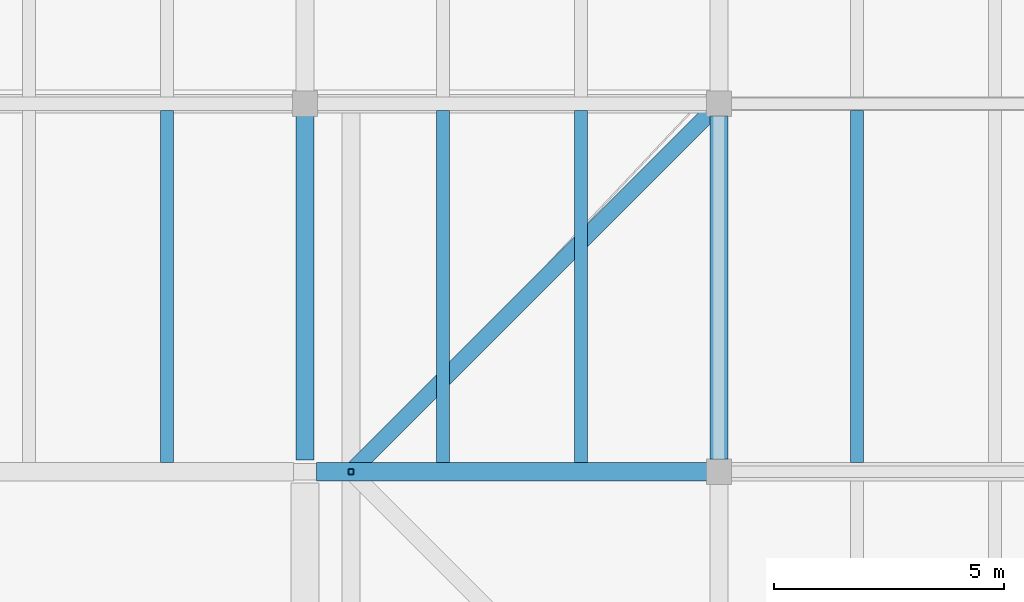
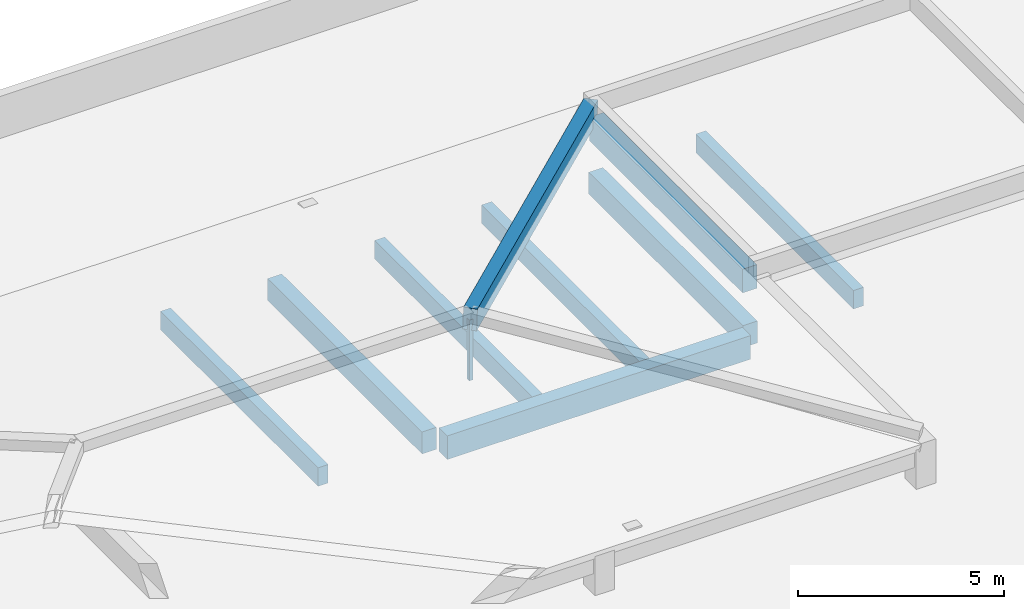
# One storey, part 27 of 56: 9 beams, 1 member.
"""IFC4 building model written with IfcOpenShell, lengths in metres."""

from ifc_helpers import new_model, si_unit, direction, frame, origin, origin_2d, place, context, subcontext, project, spatial, rectangle, hollow_rectangle, extrude, material, material_profile, profile_set, type_object, element, save


model = new_model("IFC4")

# Units and contexts
model_context = context("Model", 3, precision=1e-05, world=origin(), true_north=direction((0.0, 1.0)))
body_context = subcontext(model_context, "Body", "Model", "MODEL_VIEW")
ifc_project = project(units=[si_unit("LENGTHUNIT", "METRE"), si_unit("AREAUNIT", "SQUARE_METRE"), si_unit("VOLUMEUNIT", "CUBIC_METRE"), si_unit("PLANEANGLEUNIT", "RADIAN"), si_unit("MASSUNIT", "GRAM", prefix="KILO")], contexts=[model_context])

# Site, building, storey
site_placement = place(None, origin())
site = spatial("IfcSite", under=ifc_project, at=site_placement, CompositionType="ELEMENT")
building_placement = place(site_placement, origin())
building = spatial("IfcBuilding", under=site, at=building_placement, Name="Zacnel Wholesale Market", CompositionType="ELEMENT")
storey_placement = place(building_placement, frame((0.0, 0.0, 20.300048828125)))
storey = spatial("IfcBuildingStorey", under=building, at=storey_placement, Name="RF", CompositionType="ELEMENT", Elevation=20.300048828125)

# Beams
ifc_material_1 = material(Name="Concrete C40/50", Category="concrete")
ifc_material_profile_1 = material_profile(ifc_material_1, rectangle(XDim=0.35009765625, YDim=0.60009765625, at=origin_2d()), Name="ARCH RIB 350x600")
ifc_profile_set_1 = profile_set([ifc_material_profile_1], Name="Concrete C40/50")
beam_type_1 = type_object("IfcBeamType", Name="BM-AR600", PredefinedType="USERDEFINED", material=ifc_profile_set_1)
beam_1_placement = place(storey_placement, frame((189.0, 24.0, 1.329833984375), z_axis=(-0.701368441486, -0.701368441486, 0.127140153272), x_axis=(0.707106781187, -0.707106781187, 0.0)))
element("IfcBeam", 1, at=beam_1_placement, inside=storey, type_object=beam_type_1, Name="Hipped crown rib STR-ROOF-V5ZIG-3", ObjectType="ARCH RIB", PredefinedType="USERDEFINED", context=body_context, shape_type="SweptSolid", body=[
    extrude(rectangle(XDim=0.35009765625, YDim=0.60009765625, at=origin_2d()), origin(), (0.0, 0.0, 1.0), 11.40625),
])
ifc_material_2 = material(Name="Precast concrete C45/55", Category="concrete")
ifc_material_profile_2 = material_profile(ifc_material_2, rectangle(XDim=0.280029296875, YDim=0.550048828125, at=origin_2d()), Name="DT RIB 280x550")
ifc_profile_set_2 = profile_set([ifc_material_profile_2], Name="Precast concrete C45/55")
beam_type_2 = type_object("IfcBeamType", Name="BM-DT550", PredefinedType="JOIST", material=ifc_profile_set_2)
for number, where, z_axis, x_axis, name in (
    (2, (177.0, 16.199951171875, -0.574951171875), (0.0, 1.0, 0.0), (-1.0, 0.0, 0.0), "Precast secondary joist RF-0810"),
    (3, (183.0, 16.199951171875, -0.574951171875), (0.0, 1.0, 0.0), (-1.0, 0.0, 0.0), "Precast secondary joist RF-0811"),
    (4, (186.0, 16.199951171875, -0.574951171875), (0.0, 1.0, 0.0), (-1.0, 0.0, 0.0), "Precast secondary joist RF-0812"),
    (5, (192.0, 16.199951171875, -0.574951171875), (0.0, 1.0, 0.0), (-1.0, 0.0, 0.0), "Precast secondary joist RF-0813"),
):
    element("IfcBeam", number, at=place(storey_placement, frame(where, z_axis=z_axis, x_axis=x_axis)), inside=storey, type_object=beam_type_2, Name=name, PredefinedType="JOIST", context=body_context, shape_type="SweptSolid", body=[
        extrude(rectangle(XDim=0.280029296875, YDim=0.550048828125, at=origin_2d()), origin(), (0.0, 0.0, 1.0), 7.650146484375),
    ])
ifc_material_3 = material(Name="Precast concrete C45/55", Category="concrete")
ifc_material_profile_3 = material_profile(ifc_material_3, rectangle(XDim=0.39990234375, YDim=0.64990234375, at=origin_2d()), Name="PG 400x650")
ifc_profile_set_3 = profile_set([ifc_material_profile_3], Name="Precast concrete C45/55")
beam_type_3 = type_object("IfcBeamType", Name="BM-PG650", PredefinedType="BEAM", material=ifc_profile_set_3)
for number, where, z_axis, x_axis, name in (
    (6, (180.0, 16.25, -0.625), (0.0, 1.0, 0.0), (-1.0, 0.0, 0.0), "Precast girder Y-1507"),
    (7, (189.0, 16.25, -0.625), (0.0, 1.0, 0.0), (-1.0, 0.0, 0.0), "Precast girder Y-1516"),
):
    element("IfcBeam", number, at=place(storey_placement, frame(where, z_axis=z_axis, x_axis=x_axis)), inside=storey, type_object=beam_type_3, Name=name, PredefinedType="BEAM", context=body_context, shape_type="SweptSolid", body=[
        extrude(rectangle(XDim=0.39990234375, YDim=0.64990234375, at=origin_2d()), origin(), (0.0, 0.0, 1.0), 7.5),
    ])
ifc_material_4 = material(Name="Precast concrete C45/55", Category="concrete")
ifc_material_profile_4 = material_profile(ifc_material_4, rectangle(XDim=0.39990234375, YDim=0.699951171875, at=origin_2d()), Name="PG 400x700")
ifc_profile_set_4 = profile_set([ifc_material_profile_4], Name="Precast concrete C45/55")
beam_type_4 = type_object("IfcBeamType", Name="BM-PG700", PredefinedType="BEAM", material=ifc_profile_set_4)
beam_2_placement = place(storey_placement, frame((180.25, 16.0, -0.650146484375), z_axis=(1.0, 0.0, 0.0), x_axis=(0.0, 1.0, 0.0)))
element("IfcBeam", 8, at=beam_2_placement, inside=storey, type_object=beam_type_4, Name="Precast girder X-1339", PredefinedType="BEAM", context=body_context, shape_type="SweptSolid", body=[
    extrude(rectangle(XDim=0.39990234375, YDim=0.699951171875, at=origin_2d()), origin(), (0.0, 0.0, 1.0), 8.5),
])
beam_3_placement = place(storey_placement, frame((189.0, 16.280029296875, 1.0), z_axis=(0.0, 1.0, 0.0), x_axis=(-1.0, 0.0, 0.0)))
element("IfcBeam", 9, at=beam_3_placement, inside=storey, type_object=beam_type_4, Name="Attic crown girder Y V5ZIG-10", PredefinedType="BEAM", context=body_context, shape_type="SweptSolid", body=[
    extrude(rectangle(XDim=0.39990234375, YDim=0.699951171875, at=origin_2d()), origin(), (0.0, 0.0, 1.0), 7.43994140625),
])

# Member
ifc_material_5 = material(Name="Steel S355", Category="steel")
ifc_material_profile_5 = material_profile(ifc_material_5, hollow_rectangle(XDim=0.1201171875, YDim=0.1201171875, WallThickness=0.00634765625, InnerFilletRadius=0.006103515625, OuterFilletRadius=0.011962890625, at=origin_2d()), Name="HSS 120x120x6.3")
ifc_profile_set_5 = profile_set([ifc_material_profile_5], Name="Steel S355")
member_type = type_object("IfcMemberType", Name="MEM-PST-HSS120", PredefinedType="POST", material=ifc_profile_set_5)
member_placement = place(storey_placement, frame((181.0, 16.0, 1.0), z_axis=(0.0, 0.0, 1.0), x_axis=(1.0, 0.0, 0.0)))
element("IfcMember", 10, at=member_placement, inside=storey, type_object=member_type, Name="Hipped crown king-post STR-ROOF-V5ZIG-2", PredefinedType="POST", context=body_context, shape_type="SweptSolid", body=[
    extrude(hollow_rectangle(XDim=0.1201171875, YDim=0.1201171875, WallThickness=0.00634765625, InnerFilletRadius=0.006103515625, OuterFilletRadius=0.011962890625, at=origin_2d()), origin(), (0.0, 0.0, 1.0), 1.800048828125),
])

save(model, "model.ifc")
